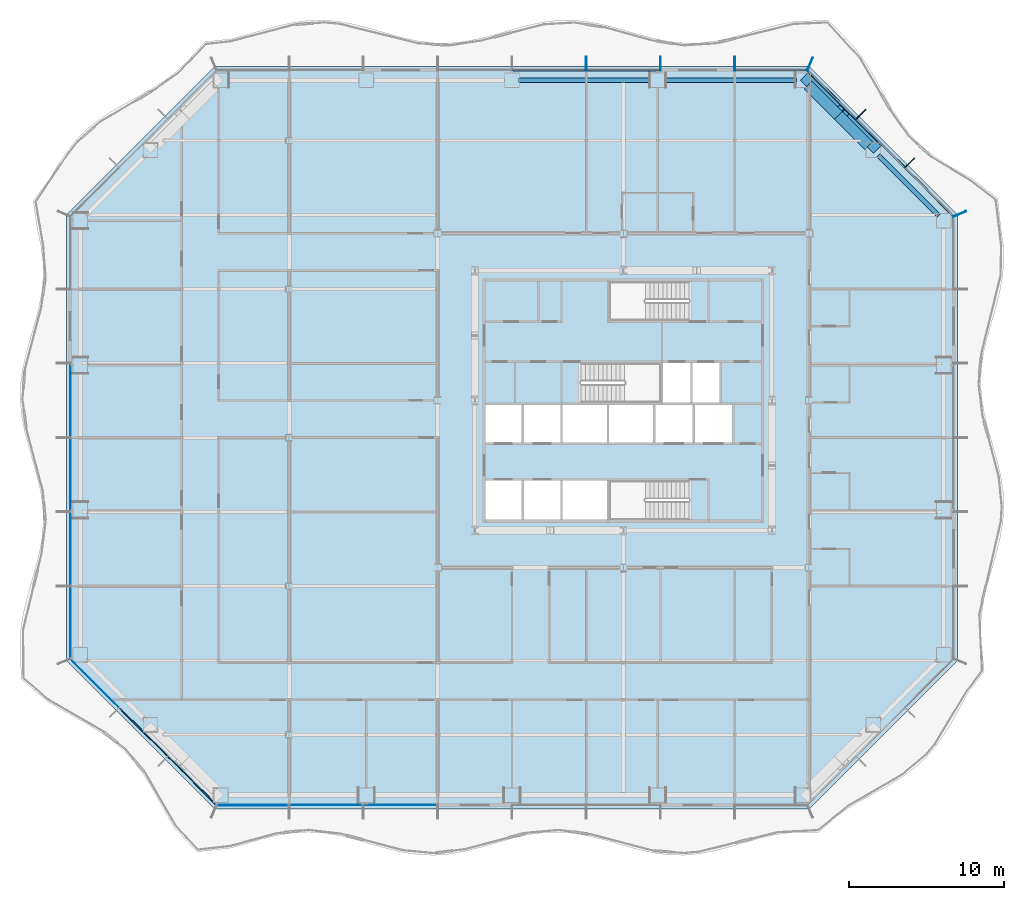
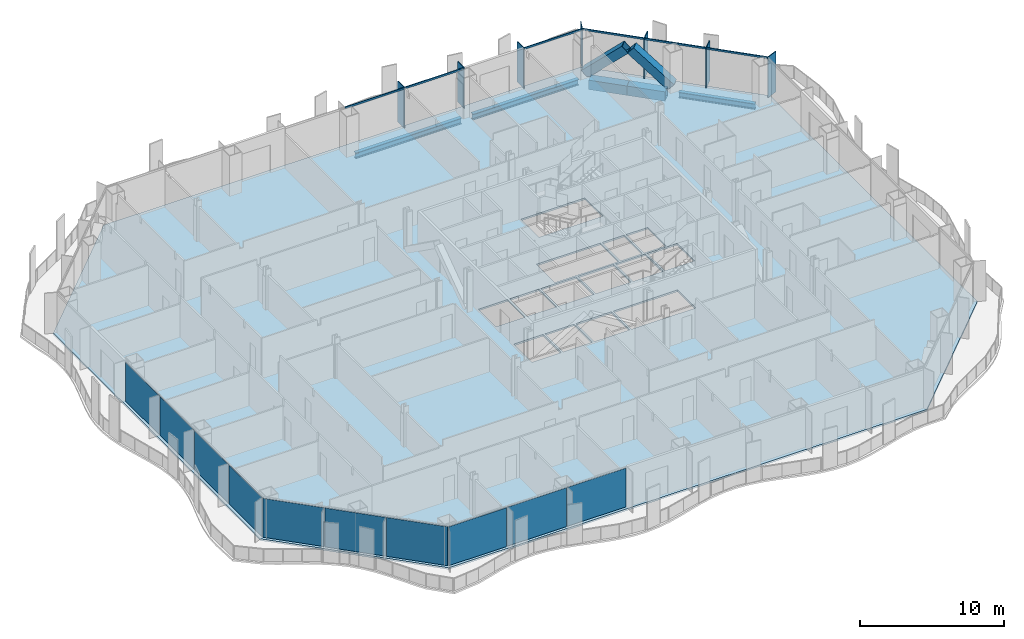
# One storey, part 4 of 21: 15 members, 10 plates, 5 beams, 1 slab, 5 elements without a shape of their own.
"""IFC4 building model written with IfcOpenShell, lengths in metres."""

from ifc_helpers import new_model, si_unit, direction, frame, origin, origin_2d, place, context, subcontext, project, spatial, polyline, rectangle, hollow_rectangle, i_section, outline, extrude, material, layer, layer_set, material_profile, profile_set, type_object, element, aggregate, save


model = new_model("IFC4")

# Units and contexts
model_context = context("Model", 3, precision=1e-05, world=origin(), true_north=direction((0.0, 1.0)))
body_context = subcontext(model_context, "Body", "Model", "MODEL_VIEW")
ifc_project = project(units=[si_unit("LENGTHUNIT", "METRE"), si_unit("AREAUNIT", "SQUARE_METRE"), si_unit("VOLUMEUNIT", "CUBIC_METRE"), si_unit("PLANEANGLEUNIT", "RADIAN"), si_unit("MASSUNIT", "GRAM", prefix="KILO")], contexts=[model_context])

# Site, building, storey
site_placement = place(None, origin())
site = spatial("IfcSite", under=ifc_project, at=site_placement, CompositionType="ELEMENT")
building_placement = place(site_placement, origin())
building = spatial("IfcBuilding", under=site, at=building_placement, Name="Cairn Pilgrim Tower", CompositionType="ELEMENT")
storey_placement = place(building_placement, frame((0.0, 0.0, 54.60009765625)))
storey = spatial("IfcBuildingStorey", under=building, at=storey_placement, Name="L11", CompositionType="ELEMENT", Elevation=54.60009765625)

# Members
ifc_material_1 = material(Name="Structural steel S460M", Category="steel")
ifc_material_profile_1 = material_profile(ifc_material_1, hollow_rectangle(XDim=0.699951171875, YDim=0.699951171875, WallThickness=0.0400390625, at=origin_2d()), Name="BOX 700x700x40")
ifc_profile_set_1 = profile_set([ifc_material_profile_1], Name="Structural steel S460M")
member_type_1 = type_object("IfcMemberType", Name="BOX 700x700x40 BRACE", PredefinedType="BRACE", material=ifc_profile_set_1)
member_1_placement = place(storey_placement, frame((23.44482421875, 18.786376953125, 0.14990234375), z_axis=(-0.528068439288, 0.528068439288, 0.665046950866), x_axis=(-0.707106781187, -0.707106781187, 0.0)))
element("IfcMember", 1, at=member_1_placement, inside=storey, type_object=member_type_1, Name="XB-NE2-N1-1", PredefinedType="BRACE", context=body_context, shape_type="SweptSolid", body=[
    extrude(hollow_rectangle(XDim=0.699951171875, YDim=0.699951171875, WallThickness=0.0400390625, at=origin_2d()), origin(), (0.0, 0.0, 1.0), 3.899658203125),
])
member_2_placement = place(storey_placement, frame((19.0498046875, 23.181396484375, 0.14990234375), z_axis=(0.528096125699, -0.528096125699, 0.665002980477), x_axis=(0.707106781187, 0.707106781187, 0.0)))
element("IfcMember", 2, at=member_2_placement, inside=storey, type_object=member_type_1, Name="XB-NE2-N1-2", PredefinedType="BRACE", context=body_context, shape_type="SweptSolid", body=[
    extrude(hollow_rectangle(XDim=0.699951171875, YDim=0.699951171875, WallThickness=0.0400390625, at=origin_2d()), origin(), (0.0, 0.0, 1.0), 3.89990234375),
])

# Beams
ifc_material_2 = material(Name="Structural steel S355J2", Category="steel")
ifc_material_profile_2 = material_profile(ifc_material_2, hollow_rectangle(XDim=0.699951171875, YDim=0.800048828125, WallThickness=0.0400390625, at=origin_2d()), Name="BOX 700x800x40")
ifc_profile_set_2 = profile_set([ifc_material_profile_2], Name="Structural steel S355J2")
beam_type_1 = type_object("IfcBeamType", Name="BOX 700x800x40 RING GIRDER", PredefinedType="SPANDREL", material=ifc_profile_set_2)
for number, where, z_axis, x_axis, name in (
    (3, (23.04541015625, 18.8818359375, -0.550048828125), (-0.707106781187, 0.707106781187, 0.0), (-0.707106781187, -0.707106781187, 0.0), "RG1-NE2-N1-1"),
    (4, (21.095458984375, 20.831787109375, -0.550048828125), (-0.707106781187, 0.707106781187, 0.0), (-0.707106781187, -0.707106781187, 0.0), "RG1-NE2-N1-2"),
):
    element("IfcBeam", number, at=place(storey_placement, frame(where, z_axis=z_axis, x_axis=x_axis)), inside=storey, type_object=beam_type_1, Name=name, PredefinedType="SPANDREL", context=body_context, shape_type="SweptSolid", body=[
        extrude(hollow_rectangle(XDim=0.699951171875, YDim=0.800048828125, WallThickness=0.0400390625, at=origin_2d()), origin(), (0.0, 0.0, 1.0), 2.757568359375),
    ])

# Curtain wall, members
ifc_material_3 = material(Name="Aluminium alloy 6063-T6 bronze anodised with Bronze tinted laminated low-E glass 8+16+8.8", Category="aluminium")
curtain_wall_type_1 = type_object("IfcCurtainWallType", Name="CHAMFER CORNER CURTAIN WALL", PredefinedType="NOTDEFINED", material=ifc_material_3)
curtain_wall_1_placement = place(storey_placement, origin())
curtain_wall_1 = element("IfcCurtainWall", 5, at=curtain_wall_1_placement, inside=storey, type_object=curtain_wall_type_1, Name="Chamfer Corner Curtain Wall NE", PredefinedType="NOTDEFINED")
ifc_material_4 = material(Name="Aluminium alloy 6063-T6 bronze anodised", Category="aluminium")
ifc_material_profile_3 = material_profile(ifc_material_4, rectangle(XDim=0.89990234375, YDim=0.06005859375, at=origin_2d()), Name="FIN MULLION 60x900 BRONZE")
ifc_profile_set_3 = profile_set([ifc_material_profile_3], Name="Aluminium alloy 6063-T6 bronze anodised")
member_type_2 = type_object("IfcMemberType", Name="FIN MULLION 60x900 BRONZE", PredefinedType="MULLION", material=ifc_profile_set_3)
member_3_placement = place(storey_placement, frame((28.93798828125, 14.457275390625, 0.0), z_axis=(0.0, 0.0, 1.0), x_axis=(0.923879532511, 0.382683432365, 0.0)))
member_3 = element("IfcMember", 6, at=member_3_placement, type_object=member_type_2, Name="Fin mullion NE1", PredefinedType="MULLION", context=body_context, shape_type="SweptSolid", body=[
    extrude(rectangle(XDim=0.89990234375, YDim=0.06005859375, at=origin_2d()), origin(), (0.0, 0.0, 1.0), 3.449951171875),
])
member_4_placement = place(storey_placement, frame((25.69580078125, 17.74462890625, 0.0), z_axis=(0.0, 0.0, 1.0), x_axis=(0.707106781187, 0.707106781187, 0.0)))
member_4 = element("IfcMember", 7, at=member_4_placement, type_object=member_type_2, Name="Fin mullion NE2", PredefinedType="MULLION", context=body_context, shape_type="SweptSolid", body=[
    extrude(rectangle(XDim=0.89990234375, YDim=0.06005859375, at=origin_2d()), origin(), (0.0, 0.0, 1.0), 3.449951171875),
])
member_5_placement = place(storey_placement, frame((22.544677734375, 20.895751953125, 0.0), z_axis=(0.0, 0.0, 1.0), x_axis=(0.707106781187, 0.707106781187, 0.0)))
member_5 = element("IfcMember", 8, at=member_5_placement, type_object=member_type_2, Name="Fin mullion NE3", PredefinedType="MULLION", context=body_context, shape_type="SweptSolid", body=[
    extrude(rectangle(XDim=0.89990234375, YDim=0.06005859375, at=origin_2d()), origin(), (0.0, 0.0, 1.0), 3.449951171875),
])

curtain_wall_type_2 = type_object("IfcCurtainWallType", Name="TOWER STICK CURTAIN WALL NS", PredefinedType="NOTDEFINED", material=ifc_material_3)
curtain_wall_2_placement = place(storey_placement, origin())
curtain_wall_2 = element("IfcCurtainWall", 9, at=curtain_wall_2_placement, inside=storey, type_object=curtain_wall_type_2, Name="Tower Stick Curtain Wall Ns N", PredefinedType="NOTDEFINED")
member_6_placement = place(storey_placement, frame((19.257080078125, 24.137939453125, 0.0), z_axis=(0.0, 0.0, 1.0), x_axis=(0.382683432365, 0.923879532511, 0.0)))
member_6 = element("IfcMember", 10, at=member_6_placement, type_object=member_type_2, Name="Fin mullion N1", PredefinedType="MULLION", context=body_context, shape_type="SweptSolid", body=[
    extrude(rectangle(XDim=0.89990234375, YDim=0.06005859375, at=origin_2d()), origin(), (0.0, 0.0, 1.0), 3.449951171875),
])
member_7_placement = place(storey_placement, frame((14.39990234375, 24.169921875, 0.0), z_axis=(0.0, 0.0, 1.0), x_axis=(0.0, 1.0, 0.0)))
member_7 = element("IfcMember", 11, at=member_7_placement, type_object=member_type_2, Name="Fin mullion N2", PredefinedType="MULLION", context=body_context, shape_type="SweptSolid", body=[
    extrude(rectangle(XDim=0.89990234375, YDim=0.06005859375, at=origin_2d()), origin(), (0.0, 0.0, 1.0), 3.449951171875),
])
member_8_placement = place(storey_placement, frame((9.60009765625, 24.169921875, 0.0), z_axis=(0.0, 0.0, 1.0), x_axis=(0.0, 1.0, 0.0)))
member_8 = element("IfcMember", 12, at=member_8_placement, type_object=member_type_2, Name="Fin mullion N3", PredefinedType="MULLION", context=body_context, shape_type="SweptSolid", body=[
    extrude(rectangle(XDim=0.89990234375, YDim=0.06005859375, at=origin_2d()), origin(), (0.0, 0.0, 1.0), 3.449951171875),
])
member_9_placement = place(storey_placement, frame((4.800048828125, 24.169921875, 0.0), z_axis=(0.0, 0.0, 1.0), x_axis=(0.0, 1.0, 0.0)))
member_9 = element("IfcMember", 13, at=member_9_placement, type_object=member_type_2, Name="Fin mullion N4", PredefinedType="MULLION", context=body_context, shape_type="SweptSolid", body=[
    extrude(rectangle(XDim=0.89990234375, YDim=0.06005859375, at=origin_2d()), origin(), (0.0, 0.0, 1.0), 3.449951171875),
])

# Beams
ifc_material_profile_4 = material_profile(ifc_material_2, i_section(OverallWidth=0.300048828125, OverallDepth=0.5, WebThickness=0.014404296875, FlangeThickness=0.028076171875, FilletRadius=0.027099609375, at=origin_2d()), Name="HEB 500")
ifc_profile_set_4 = profile_set([ifc_material_profile_4], Name="Structural steel S355J2")
beam_type_2 = type_object("IfcBeamType", Name="HEB 500 RING GIRDER", PredefinedType="SPANDREL", material=ifc_profile_set_4)
beam_placement = place(storey_placement, frame((27.581787109375, 14.345458984375, -0.400146484375), z_axis=(-0.707106781187, 0.707106781187, 0.0), x_axis=(-0.707106781187, -0.707106781187, 0.0)))
element("IfcBeam", 14, at=beam_placement, inside=storey, type_object=beam_type_2, Name="RG1-NE1-NE2", PredefinedType="SPANDREL", context=body_context, shape_type="SweptSolid", body=[
    extrude(i_section(OverallWidth=0.300048828125, OverallDepth=0.5, WebThickness=0.014404296875, FlangeThickness=0.028076171875, FilletRadius=0.027099609375, at=origin_2d()), origin(), (0.0, 0.0, 1.0), 5.515380859375),
])
for number, where, z_axis, x_axis, name in (
    (15, (18.377197265625, 23.10009765625, -0.400146484375), (-1.0, 0.0, 0.0), (0.0, -1.0, 0.0), "RG1-N1-N2"),
    (16, (8.963623046875, 23.10009765625, -0.400146484375), (-1.0, 0.0, 0.0), (0.0, -1.0, 0.0), "RG1-N2-N3"),
):
    element("IfcBeam", number, at=place(storey_placement, frame(where, z_axis=z_axis, x_axis=x_axis)), inside=storey, type_object=beam_type_2, Name=name, PredefinedType="SPANDREL", context=body_context, shape_type="SweptSolid", body=[
        extrude(i_section(OverallWidth=0.300048828125, OverallDepth=0.5, WebThickness=0.014404296875, FlangeThickness=0.028076171875, FilletRadius=0.027099609375, at=origin_2d()), origin(), (0.0, 0.0, 1.0), 8.513671875),
    ])

# Member
ifc_material_profile_5 = material_profile(ifc_material_4, rectangle(XDim=0.080078125, YDim=0.14990234375, at=origin_2d()), Name="TRANSOM 80x150 BRONZE")
ifc_profile_set_5 = profile_set([ifc_material_profile_5], Name="Aluminium alloy 6063-T6 bronze anodised")
member_type_3 = type_object("IfcMemberType", Name="TRANSOM 80x150 BRONZE", PredefinedType="USERDEFINED", material=ifc_profile_set_5)
member_10_placement = place(storey_placement, frame((28.521728515625, 14.32470703125, 3.375), z_axis=(-0.707106781187, 0.707106781187, 0.0), x_axis=(-0.707106781187, -0.707106781187, 0.0)))
member_10 = element("IfcMember", 17, at=member_10_placement, type_object=member_type_3, Name="Transom NE1", ObjectType="TRANSOM", PredefinedType="USERDEFINED", context=body_context, shape_type="SweptSolid", body=[
    extrude(rectangle(XDim=0.080078125, YDim=0.14990234375, at=origin_2d()), origin(), (0.0, 0.0, 1.0), 4.38671875),
])

member_11_placement = place(storey_placement, frame((25.377685546875, 17.46875, 3.375), z_axis=(-0.707106781187, 0.707106781187, 0.0), x_axis=(-0.707106781187, -0.707106781187, 0.0)))
member_11 = element("IfcMember", 18, at=member_11_placement, type_object=member_type_3, Name="Transom NE2", ObjectType="TRANSOM", PredefinedType="USERDEFINED", context=body_context, shape_type="SweptSolid", body=[
    extrude(rectangle(XDim=0.080078125, YDim=0.14990234375, at=origin_2d()), origin(), (0.0, 0.0, 1.0), 4.396728515625),
])

member_12_placement = place(storey_placement, frame((22.226318359375, 20.6201171875, 3.375), z_axis=(-0.707106781187, 0.707106781187, 0.0), x_axis=(-0.707106781187, -0.707106781187, 0.0)))
member_12 = element("IfcMember", 19, at=member_12_placement, type_object=member_type_3, Name="Transom NE3", ObjectType="TRANSOM", PredefinedType="USERDEFINED", context=body_context, shape_type="SweptSolid", body=[
    extrude(rectangle(XDim=0.080078125, YDim=0.14990234375, at=origin_2d()), origin(), (0.0, 0.0, 1.0), 4.38623046875),
])

aggregate(curtain_wall_1, [member_3, member_4, member_5, member_10, member_11, member_12])

member_13_placement = place(storey_placement, frame((19.056396484375, 23.75, 3.375), z_axis=(-1.0, 0.0, 0.0), x_axis=(0.0, -1.0, 0.0)))
member_13 = element("IfcMember", 20, at=member_13_placement, type_object=member_type_3, Name="Transom N1", ObjectType="TRANSOM", PredefinedType="USERDEFINED", context=body_context, shape_type="SweptSolid", body=[
    extrude(rectangle(XDim=0.080078125, YDim=0.14990234375, at=origin_2d()), origin(), (0.0, 0.0, 1.0), 4.62646484375),
])

member_14_placement = place(storey_placement, frame((9.570068359375, 23.75, 3.375), z_axis=(-1.0, 0.0, 0.0), x_axis=(0.0, -1.0, 0.0)))
member_14 = element("IfcMember", 21, at=member_14_placement, type_object=member_type_3, Name="Transom N3", ObjectType="TRANSOM", PredefinedType="USERDEFINED", context=body_context, shape_type="SweptSolid", body=[
    extrude(rectangle(XDim=0.080078125, YDim=0.14990234375, at=origin_2d()), origin(), (0.0, 0.0, 1.0), 4.739990234375),
])

member_15_placement = place(storey_placement, frame((4.77001953125, 23.75, 3.375), z_axis=(-1.0, 0.0, 0.0), x_axis=(0.0, -1.0, 0.0)))
member_15 = element("IfcMember", 22, at=member_15_placement, type_object=member_type_3, Name="Transom N4", ObjectType="TRANSOM", PredefinedType="USERDEFINED", context=body_context, shape_type="SweptSolid", body=[
    extrude(rectangle(XDim=0.080078125, YDim=0.14990234375, at=origin_2d()), origin(), (0.0, 0.0, 1.0), 4.739990234375),
])

aggregate(curtain_wall_2, [member_6, member_7, member_8, member_9, member_13, member_14, member_15])

# Slab
ifc_material_5 = material(Name="Concrete C35/45", Category="concrete")
ifc_layer_1 = layer(ifc_material_5, 0.14990234375)
ifc_layer_set_1 = layer_set([ifc_layer_1], Name="COMPOSITE FLOOR SLAB 150")
slab_type = type_object("IfcSlabType", Name="COMPOSITE FLOOR SLAB 150", PredefinedType="FLOOR", material=ifc_layer_set_1)
slab_placement = place(storey_placement, frame((0.0, 0.0, -0.150146484375)))
element("IfcSlab", 23, at=slab_placement, inside=storey, type_object=slab_type, Name="FLOOR SLAB L11", PredefinedType="FLOOR", context=body_context, shape_type="SweptSolid", body=[
    extrude(outline(polyline([(-19.199951171875, -24.0), (19.199951171875, -24.0), (28.800048828125, -14.39990234375), (28.800048828125, 14.39990234375), (19.199951171875, 24.0), (-19.199951171875, 24.0), (-28.800048828125, 14.39990234375), (-28.800048828125, -14.39990234375), (-19.199951171875, -24.0)]), holes=[polyline([(-1.72509765625, -5.300048828125), (0.625, -5.300048828125), (0.625, -2.77490234375), (-1.72509765625, -2.77490234375), (-1.72509765625, -5.300048828125)]), polyline([(0.77490234375, -5.300048828125), (3.125, -5.300048828125), (3.125, -2.77490234375), (0.77490234375, -2.77490234375), (0.77490234375, -5.300048828125)]), polyline([(-1.72509765625, -0.324951171875), (0.625, -0.324951171875), (0.625, 2.125), (-1.72509765625, 2.125), (-1.72509765625, -0.324951171875)]), polyline([(0.77490234375, -0.324951171875), (3.125, -0.324951171875), (3.125, 2.125), (0.77490234375, 2.125), (0.77490234375, -0.324951171875)]), polyline([(3.27490234375, -5.300048828125), (6.125, -5.300048828125), (6.125, -2.77490234375), (3.27490234375, -2.77490234375), (3.27490234375, -5.300048828125)]), polyline([(3.27490234375, -0.324951171875), (6.125, -0.324951171875), (6.125, 2.125), (3.27490234375, 2.125), (3.27490234375, -0.324951171875)]), polyline([(6.27490234375, -0.324951171875), (9.125, -0.324951171875), (9.125, 2.125), (6.27490234375, 2.125), (6.27490234375, -0.324951171875)]), polyline([(9.27490234375, -0.324951171875), (11.675048828125, -0.324951171875), (11.675048828125, 2.125), (9.27490234375, 2.125), (9.27490234375, -0.324951171875)]), polyline([(11.824951171875, -0.324951171875), (14.22509765625, -0.324951171875), (14.22509765625, 2.125), (11.824951171875, 2.125), (11.824951171875, -0.324951171875)]), polyline([(9.77490234375, 2.27490234375), (11.52490234375, 2.27490234375), (11.52490234375, 4.824951171875), (9.77490234375, 4.824951171875), (9.77490234375, 2.27490234375)]), polyline([(11.675048828125, 2.27490234375), (13.425048828125, 2.27490234375), (13.425048828125, 4.824951171875), (11.675048828125, 4.824951171875), (11.675048828125, 2.27490234375)]), polyline([(11.424560546875, -2.77490234375), (6.27490234375, -2.77490234375), (6.27490234375, -5.300048828125), (11.424560546875, -5.300048828125), (11.424560546875, -2.77490234375)]), polyline([(4.4755859375, 2.27490234375), (9.625, 2.27490234375), (9.625, 4.824951171875), (4.4755859375, 4.824951171875), (4.4755859375, 2.27490234375)]), polyline([(11.424560546875, 10.10009765625), (6.27490234375, 10.10009765625), (6.27490234375, 7.574951171875), (11.424560546875, 7.574951171875), (11.424560546875, 10.10009765625)])]), origin(), (0.0, 0.0, 1.0), 0.150146484375),
])

# Curtain wall, plates
curtain_wall_3_placement = place(storey_placement, origin())
curtain_wall_3 = element("IfcCurtainWall", 24, at=curtain_wall_3_placement, inside=storey, type_object=curtain_wall_type_1, Name="Chamfer Corner Curtain Wall SW", PredefinedType="NOTDEFINED")
ifc_material_6 = material(Name="Bronze anodised aluminium spandrel panel with mineral wool insulation", Category="aluminium")
ifc_layer_2 = layer(ifc_material_6, 0.06005859375)
ifc_layer_set_2 = layer_set([ifc_layer_2], Name="SPANDREL PANEL 4386x3300")
plate_type_1 = type_object("IfcPlateType", Name="SPANDREL PANEL 4386x3300", PredefinedType="CURTAIN_PANEL", material=ifc_layer_set_2)
plate_1_placement = place(storey_placement, frame((-20.675537109375, -22.1708984375, 0.0), z_axis=(0.0, 0.0, 1.0), x_axis=(0.707106781187, -0.707106781187, 0.0)))
plate_1 = element("IfcPlate", 25, at=plate_1_placement, type_object=plate_type_1, Name="Spandrel Panel SW3-1", PredefinedType="CURTAIN_PANEL", context=body_context, shape_type="SweptSolid", body=[
    extrude(rectangle(XDim=4.386474609375, YDim=0.06005859375, at=origin_2d()), origin(), (0.0, 0.0, 1.0), 3.300048828125),
])
ifc_layer_3 = layer(ifc_material_6, 0.06005859375)
ifc_layer_set_3 = layer_set([ifc_layer_3], Name="SPANDREL PANEL 4396x3300")
plate_type_2 = type_object("IfcPlateType", Name="SPANDREL PANEL 4396x3300", PredefinedType="CURTAIN_PANEL", material=ifc_layer_set_3)
plate_2_placement = place(storey_placement, frame((-23.8232421875, -19.023193359375, 0.0), z_axis=(0.0, 0.0, 1.0), x_axis=(0.707106781187, -0.707106781187, 0.0)))
plate_2 = element("IfcPlate", 26, at=plate_2_placement, type_object=plate_type_2, Name="Spandrel Panel SW2-1", PredefinedType="CURTAIN_PANEL", context=body_context, shape_type="SweptSolid", body=[
    extrude(rectangle(XDim=4.396484375, YDim=0.06005859375, at=origin_2d()), origin(), (0.0, 0.0, 1.0), 3.300048828125),
])

# Curtain wall, plate
curtain_wall_4_placement = place(storey_placement, origin())
curtain_wall_4 = element("IfcCurtainWall", 27, at=curtain_wall_4_placement, inside=storey, type_object=curtain_wall_type_2, Name="Tower Stick Curtain Wall Ns S", PredefinedType="NOTDEFINED")
ifc_layer_4 = layer(ifc_material_6, 0.06005859375)
ifc_layer_set_4 = layer_set([ifc_layer_4], Name="SPANDREL PANEL 4626x3300")
plate_type_3 = type_object("IfcPlateType", Name="SPANDREL PANEL 4626x3300", PredefinedType="CURTAIN_PANEL", material=ifc_layer_set_4)
plate_3_placement = place(storey_placement, frame((-16.7431640625, -23.75, 0.0), z_axis=(0.0, 0.0, 1.0), x_axis=(1.0, 0.0, 0.0)))
plate_3 = element("IfcPlate", 28, at=plate_3_placement, type_object=plate_type_3, Name="Spandrel Panel S1-1", PredefinedType="CURTAIN_PANEL", context=body_context, shape_type="SweptSolid", body=[
    extrude(rectangle(XDim=4.62646484375, YDim=0.06005859375, at=origin_2d()), origin(), (0.0, 0.0, 1.0), 3.300048828125),
])

# Plate
ifc_material_7 = material(Name="Bronze tinted laminated low-E glass 8+16+8.8", Category="glass")
ifc_layer_5 = layer(ifc_material_7, 0.033935546875)
ifc_layer_set_5 = layer_set([ifc_layer_5], Name="VISION GLAZING 4386x3300")
plate_type_4 = type_object("IfcPlateType", Name="VISION GLAZING 4386x3300", PredefinedType="CURTAIN_PANEL", material=ifc_layer_set_5)
plate_4_placement = place(storey_placement, frame((-26.970947265625, -15.87548828125, 0.0), z_axis=(0.0, 0.0, 1.0), x_axis=(0.707106781187, -0.707106781187, 0.0)))
plate_4 = element("IfcPlate", 29, at=plate_4_placement, type_object=plate_type_4, Name="Vision Glazing SW1-1", PredefinedType="CURTAIN_PANEL", context=body_context, shape_type="SweptSolid", body=[
    extrude(rectangle(XDim=4.386474609375, YDim=0.033935546875, at=origin_2d()), origin(), (0.0, 0.0, 1.0), 3.300048828125),
])

aggregate(curtain_wall_3, [plate_4, plate_2, plate_1])

# Curtain wall, plate
curtain_wall_type_3 = type_object("IfcCurtainWallType", Name="TOWER STICK CURTAIN WALL EW", PredefinedType="NOTDEFINED", material=ifc_material_3)
curtain_wall_5_placement = place(storey_placement, origin())
curtain_wall_5 = element("IfcCurtainWall", 30, at=curtain_wall_5_placement, inside=storey, type_object=curtain_wall_type_3, Name="Tower Stick Curtain Wall Ew W", PredefinedType="NOTDEFINED")
ifc_layer_6 = layer(ifc_material_7, 0.033935546875)
ifc_layer_set_6 = layer_set([ifc_layer_6], Name="VISION GLAZING 4626x3300")
plate_type_5 = type_object("IfcPlateType", Name="VISION GLAZING 4626x3300", PredefinedType="CURTAIN_PANEL", material=ifc_layer_set_6)
plate_5_placement = place(storey_placement, frame((-28.550048828125, -11.943115234375, 0.0), z_axis=(0.0, 0.0, 1.0), x_axis=(0.0, -1.0, 0.0)))
plate_5 = element("IfcPlate", 31, at=plate_5_placement, type_object=plate_type_5, Name="Vision Glazing W6-1", PredefinedType="CURTAIN_PANEL", context=body_context, shape_type="SweptSolid", body=[
    extrude(rectangle(XDim=4.62646484375, YDim=0.033935546875, at=origin_2d()), origin(), (0.0, 0.0, 1.0), 3.300048828125),
])

# Plate
ifc_layer_7 = layer(ifc_material_7, 0.033935546875)
ifc_layer_set_7 = layer_set([ifc_layer_7], Name="VISION GLAZING 4740x3300")
plate_type_6 = type_object("IfcPlateType", Name="VISION GLAZING 4740x3300", PredefinedType="CURTAIN_PANEL", material=ifc_layer_set_7)
plate_6_placement = place(storey_placement, frame((-12.0, -23.75, 0.0), z_axis=(0.0, 0.0, 1.0), x_axis=(1.0, 0.0, 0.0)))
plate_6 = element("IfcPlate", 32, at=plate_6_placement, type_object=plate_type_6, Name="Vision Glazing S2-1", PredefinedType="CURTAIN_PANEL", context=body_context, shape_type="SweptSolid", body=[
    extrude(rectangle(XDim=4.739990234375, YDim=0.033935546875, at=origin_2d()), origin(), (0.0, 0.0, 1.0), 3.300048828125),
])

plate_7_placement = place(storey_placement, frame((-7.199951171875, -23.75, 0.0), z_axis=(0.0, 0.0, 1.0), x_axis=(1.0, 0.0, 0.0)))
plate_7 = element("IfcPlate", 33, at=plate_7_placement, type_object=plate_type_6, Name="Vision Glazing S3-1", PredefinedType="CURTAIN_PANEL", context=body_context, shape_type="SweptSolid", body=[
    extrude(rectangle(XDim=4.739990234375, YDim=0.033935546875, at=origin_2d()), origin(), (0.0, 0.0, 1.0), 3.300048828125),
])

aggregate(curtain_wall_4, [plate_3, plate_6, plate_7])

plate_8_placement = place(storey_placement, frame((-28.550048828125, 2.39990234375, 0.0), z_axis=(0.0, 0.0, 1.0), x_axis=(0.0, -1.0, 0.0)))
plate_8 = element("IfcPlate", 34, at=plate_8_placement, type_object=plate_type_6, Name="Vision Glazing W3-1", PredefinedType="CURTAIN_PANEL", context=body_context, shape_type="SweptSolid", body=[
    extrude(rectangle(XDim=4.739990234375, YDim=0.033935546875, at=origin_2d()), origin(), (0.0, 0.0, 1.0), 3.300048828125),
])

plate_9_placement = place(storey_placement, frame((-28.550048828125, -2.39990234375, 0.0), z_axis=(0.0, 0.0, 1.0), x_axis=(0.0, -1.0, 0.0)))
plate_9 = element("IfcPlate", 35, at=plate_9_placement, type_object=plate_type_6, Name="Vision Glazing W4-1", PredefinedType="CURTAIN_PANEL", context=body_context, shape_type="SweptSolid", body=[
    extrude(rectangle(XDim=4.739990234375, YDim=0.033935546875, at=origin_2d()), origin(), (0.0, 0.0, 1.0), 3.300048828125),
])

plate_10_placement = place(storey_placement, frame((-28.550048828125, -7.199951171875, 0.0), z_axis=(0.0, 0.0, 1.0), x_axis=(0.0, -1.0, 0.0)))
plate_10 = element("IfcPlate", 36, at=plate_10_placement, type_object=plate_type_6, Name="Vision Glazing W5-1", PredefinedType="CURTAIN_PANEL", context=body_context, shape_type="SweptSolid", body=[
    extrude(rectangle(XDim=4.739990234375, YDim=0.033935546875, at=origin_2d()), origin(), (0.0, 0.0, 1.0), 3.300048828125),
])

aggregate(curtain_wall_5, [plate_8, plate_9, plate_10, plate_5])

save(model, "model.ifc")
